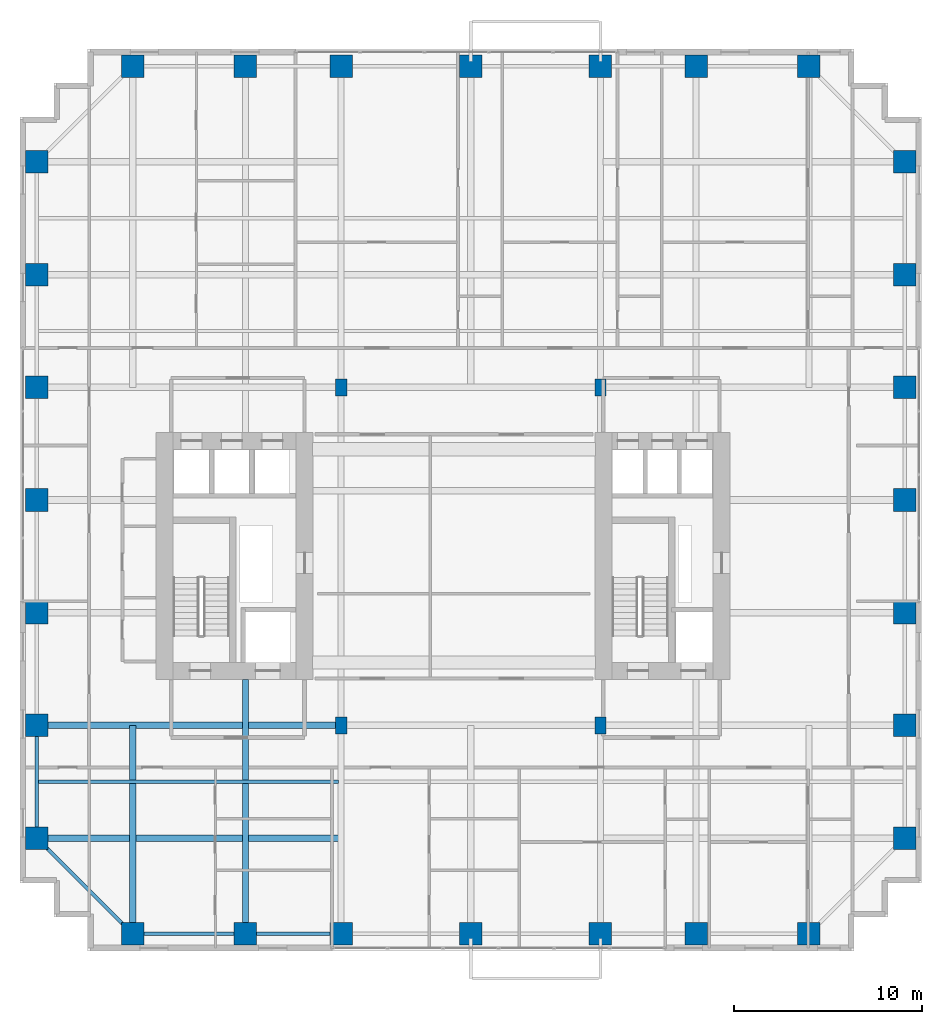
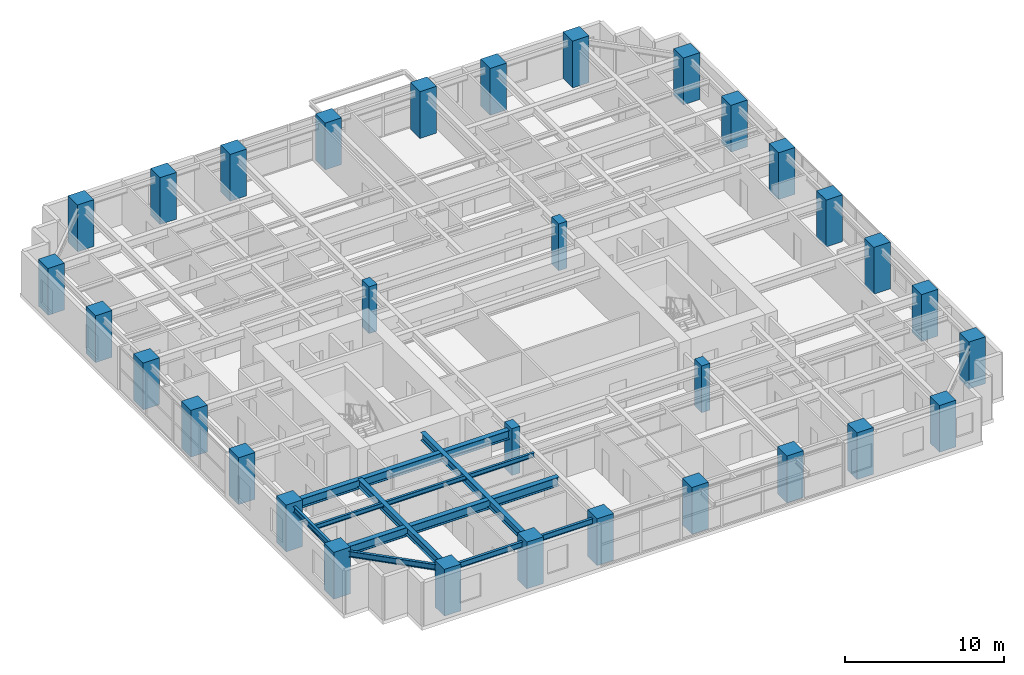
# One storey, part 1 of 24: 32 columns, 9 beams.
"""IFC4 building model written with IfcOpenShell, lengths in metres."""

from ifc_helpers import new_model, si_unit, direction, frame, origin, origin_2d, place, context, subcontext, project, spatial, rectangle, i_section, extrude, source, transform, mapped, material, material_profile, profile_set, type_object, element, save


model = new_model("IFC4")

# Units and contexts
model_context = context("Model", 3, precision=1e-05, world=origin(), true_north=direction((0.0, 1.0)))
body_context = subcontext(model_context, "Body", "Model", "MODEL_VIEW")
ifc_project = project(units=[si_unit("LENGTHUNIT", "METRE"), si_unit("AREAUNIT", "SQUARE_METRE"), si_unit("VOLUMEUNIT", "CUBIC_METRE"), si_unit("PLANEANGLEUNIT", "RADIAN"), si_unit("MASSUNIT", "GRAM", prefix="KILO")], contexts=[model_context])

# Site, building, storey
site_placement = place(None, origin())
site = spatial("IfcSite", under=ifc_project, at=site_placement, CompositionType="ELEMENT")
building_placement = place(site_placement, origin())
building = spatial("IfcBuilding", under=site, at=building_placement, Name="Khoralis Quay Care Tower", CompositionType="ELEMENT")
storey_placement = place(building_placement, frame((0.0, 0.0, 54.89990234375)))
storey = spatial("IfcBuildingStorey", under=building, at=storey_placement, Name="L14", CompositionType="ELEMENT", Elevation=54.89990234375)

# Columns
ifc_material_1 = material(Name="Concrete C80/95", Category="concrete")
ifc_material_profile_1 = material_profile(ifc_material_1, rectangle(XDim=1.199951171875, YDim=1.199951171875, at=origin_2d()), Name="Concrete C80/95")
ifc_profile_set_1 = profile_set([ifc_material_profile_1], Name="Concrete C80/95")
column_type_1 = type_object("IfcColumnType", Name="COL-C1200", PredefinedType="COLUMN", material=ifc_profile_set_1)
shared_shape_1 = source(origin(), body_context, "Body", "SweptSolid", [
    extrude(rectangle(XDim=1.199951171875, YDim=1.199951171875, at=origin_2d()), origin(), (0.0, 0.0, 1.0), 3.60009765625),
])
for number, where, z_axis, x_axis, name in (
    (1, (6.0, 0.89990234375, 0.0), (0.0, 0.0, 1.0), (1.0, 0.0, 0.0), "COL-TWR-L14-01"),
    (2, (6.0, 47.10009765625, 0.0), (0.0, 0.0, 1.0), (1.0, 0.0, 0.0), "COL-TWR-L14-02"),
    (3, (12.0, 0.89990234375, 0.0), (0.0, 0.0, 1.0), (1.0, 0.0, 0.0), "COL-TWR-L14-03"),
    (4, (12.0, 47.10009765625, 0.0), (0.0, 0.0, 1.0), (1.0, 0.0, 0.0), "COL-TWR-L14-04"),
    (5, (17.10009765625, 0.89990234375, 0.0), (0.0, 0.0, 1.0), (1.0, 0.0, 0.0), "COL-TWR-L14-05"),
    (6, (17.10009765625, 47.10009765625, 0.0), (0.0, 0.0, 1.0), (1.0, 0.0, 0.0), "COL-TWR-L14-06"),
    (7, (24.0, 0.89990234375, 0.0), (0.0, 0.0, 1.0), (1.0, 0.0, 0.0), "COL-TWR-L14-07"),
    (8, (24.0, 47.10009765625, 0.0), (0.0, 0.0, 1.0), (1.0, 0.0, 0.0), "COL-TWR-L14-08"),
    (9, (30.89990234375, 0.89990234375, 0.0), (0.0, 0.0, 1.0), (1.0, 0.0, 0.0), "COL-TWR-L14-09"),
    (10, (30.89990234375, 47.10009765625, 0.0), (0.0, 0.0, 1.0), (1.0, 0.0, 0.0), "COL-TWR-L14-10"),
    (11, (36.0, 0.89990234375, 0.0), (0.0, 0.0, 1.0), (1.0, 0.0, 0.0), "COL-TWR-L14-11"),
    (12, (36.0, 47.10009765625, 0.0), (0.0, 0.0, 1.0), (1.0, 0.0, 0.0), "COL-TWR-L14-12"),
    (13, (42.0, 0.89990234375, 0.0), (0.0, 0.0, 1.0), (1.0, 0.0, 0.0), "COL-TWR-L14-13"),
    (14, (42.0, 47.10009765625, 0.0), (0.0, 0.0, 1.0), (1.0, 0.0, 0.0), "COL-TWR-L14-14"),
    (15, (0.89990234375, 6.0, 0.0), (0.0, 0.0, 1.0), (1.0, 0.0, 0.0), "COL-TWR-L14-15"),
    (16, (47.10009765625, 6.0, 0.0), (0.0, 0.0, 1.0), (1.0, 0.0, 0.0), "COL-TWR-L14-16"),
    (17, (0.89990234375, 12.0, 0.0), (0.0, 0.0, 1.0), (1.0, 0.0, 0.0), "COL-TWR-L14-17"),
    (18, (47.10009765625, 12.0, 0.0), (0.0, 0.0, 1.0), (1.0, 0.0, 0.0), "COL-TWR-L14-18"),
    (19, (0.89990234375, 18.0, 0.0), (0.0, 0.0, 1.0), (1.0, 0.0, 0.0), "COL-TWR-L14-19"),
    (20, (47.10009765625, 18.0, 0.0), (0.0, 0.0, 1.0), (1.0, 0.0, 0.0), "COL-TWR-L14-20"),
    (21, (0.89990234375, 24.0, 0.0), (0.0, 0.0, 1.0), (1.0, 0.0, 0.0), "COL-TWR-L14-21"),
    (22, (47.10009765625, 24.0, 0.0), (0.0, 0.0, 1.0), (1.0, 0.0, 0.0), "COL-TWR-L14-22"),
    (23, (0.89990234375, 30.0, 0.0), (0.0, 0.0, 1.0), (1.0, 0.0, 0.0), "COL-TWR-L14-23"),
    (24, (47.10009765625, 30.0, 0.0), (0.0, 0.0, 1.0), (1.0, 0.0, 0.0), "COL-TWR-L14-24"),
    (25, (0.89990234375, 36.0, 0.0), (0.0, 0.0, 1.0), (1.0, 0.0, 0.0), "COL-TWR-L14-25"),
    (26, (47.10009765625, 36.0, 0.0), (0.0, 0.0, 1.0), (1.0, 0.0, 0.0), "COL-TWR-L14-26"),
    (27, (0.89990234375, 42.0, 0.0), (0.0, 0.0, 1.0), (1.0, 0.0, 0.0), "COL-TWR-L14-27"),
    (28, (47.10009765625, 42.0, 0.0), (0.0, 0.0, 1.0), (1.0, 0.0, 0.0), "COL-TWR-L14-28"),
):
    element("IfcColumn", number, at=place(storey_placement, frame(where, z_axis=z_axis, x_axis=x_axis)), inside=storey, type_object=column_type_1, Name=name, PredefinedType="COLUMN", context=body_context, shape_type="MappedRepresentation", body=[
        mapped(shared_shape_1, transform((0.0, 0.0, 0.0), scale=1.0)),
    ])
ifc_material_2 = material(Name="Concrete C65/80", Category="concrete")
ifc_material_profile_2 = material_profile(ifc_material_2, rectangle(XDim=0.60009765625, YDim=0.89990234375, at=origin_2d()), Name="Concrete C65/80")
ifc_profile_set_2 = profile_set([ifc_material_profile_2], Name="Concrete C65/80")
column_type_2 = type_object("IfcColumnType", Name="COL-C600X900", PredefinedType="COLUMN", material=ifc_profile_set_2)
shared_shape_2 = source(origin(), body_context, "Body", "SweptSolid", [
    extrude(rectangle(XDim=0.60009765625, YDim=0.89990234375, at=origin_2d()), origin(), (0.0, 0.0, 1.0), 3.60009765625),
])
for number, where, z_axis, x_axis, name in (
    (29, (17.10009765625, 12.0, 0.0), (0.0, 0.0, 1.0), (1.0, 0.0, 0.0), "COL-TWR-L14-29"),
    (30, (17.10009765625, 30.0, 0.0), (0.0, 0.0, 1.0), (1.0, 0.0, 0.0), "COL-TWR-L14-30"),
    (31, (30.89990234375, 12.0, 0.0), (0.0, 0.0, 1.0), (1.0, 0.0, 0.0), "COL-TWR-L14-31"),
    (32, (30.89990234375, 30.0, 0.0), (0.0, 0.0, 1.0), (1.0, 0.0, 0.0), "COL-TWR-L14-32"),
):
    element("IfcColumn", number, at=place(storey_placement, frame(where, z_axis=z_axis, x_axis=x_axis)), inside=storey, type_object=column_type_2, Name=name, PredefinedType="COLUMN", context=body_context, shape_type="MappedRepresentation", body=[
        mapped(shared_shape_2, transform((0.0, 0.0, 0.0), scale=1.0)),
    ])

# Beams
ifc_material_3 = material(Name="Steel S355", Category="steel")
ifc_material_profile_3 = material_profile(ifc_material_3, i_section(OverallWidth=0.18994140625, OverallDepth=0.449951171875, WebThickness=0.009521484375, FlangeThickness=0.0146484375, FilletRadius=0.02099609375, at=origin_2d()), Name="Steel S355")
ifc_profile_set_3 = profile_set([ifc_material_profile_3], Name="Steel S355")
beam_type_1 = type_object("IfcBeamType", Name="BM-IPE450", PredefinedType="SPANDREL", material=ifc_profile_set_3)
shared_shape_3 = source(origin(), body_context, "Body", "SweptSolid", [
    extrude(i_section(OverallWidth=0.18994140625, OverallDepth=0.449951171875, WebThickness=0.009521484375, FlangeThickness=0.0146484375, FilletRadius=0.02099609375, at=origin_2d()), origin(), (0.0, 0.0, 1.0), 6.0),
])
for number, where, z_axis, x_axis, name in (
    (33, (6.0, 0.89990234375, 3.09521484375), (1.0, 0.0, 0.0), (0.0, 1.0, 0.0), "BM-TSP-L14-01"),
    (34, (0.89990234375, 6.0, 3.09521484375), (0.0, 1.0, 0.0), (-1.0, 0.0, 0.0), "BM-TSP-L14-13"),
):
    element("IfcBeam", number, at=place(storey_placement, frame(where, z_axis=z_axis, x_axis=x_axis)), inside=storey, type_object=beam_type_1, Name=name, PredefinedType="SPANDREL", context=body_context, shape_type="MappedRepresentation", body=[
        mapped(shared_shape_3, transform((0.0, 0.0, 0.0), scale=1.0)),
    ])
shared_shape_4 = source(origin(), body_context, "Body", "SweptSolid", [
    extrude(i_section(OverallWidth=0.18994140625, OverallDepth=0.449951171875, WebThickness=0.009521484375, FlangeThickness=0.0146484375, FilletRadius=0.02099609375, at=origin_2d()), origin(), (0.0, 0.0, 1.0), 5.10009765625),
])
beam_1_placement = place(storey_placement, frame((12.0, 0.89990234375, 3.09521484375), z_axis=(1.0, 0.0, 0.0), x_axis=(0.0, 1.0, 0.0)))
element("IfcBeam", 35, at=beam_1_placement, inside=storey, type_object=beam_type_1, Name="BM-TSP-L14-02", PredefinedType="SPANDREL", context=body_context, shape_type="MappedRepresentation", body=[
    mapped(shared_shape_4, transform((0.0, 0.0, 0.0), scale=1.0)),
])
shared_shape_5 = source(origin(), body_context, "Body", "SweptSolid", [
    extrude(i_section(OverallWidth=0.18994140625, OverallDepth=0.449951171875, WebThickness=0.009521484375, FlangeThickness=0.0146484375, FilletRadius=0.02099609375, at=origin_2d()), origin(), (0.0, 0.0, 1.0), 7.212646484375),
])
beam_2_placement = place(storey_placement, frame((6.0, 0.89990234375, 3.09521484375), z_axis=(-0.707106781187, 0.707106781187, 0.0), x_axis=(-0.707106781187, -0.707106781187, 0.0)))
element("IfcBeam", 36, at=beam_2_placement, inside=storey, type_object=beam_type_1, Name="BM-TCR-L14-25", PredefinedType="SPANDREL", context=body_context, shape_type="MappedRepresentation", body=[
    mapped(shared_shape_5, transform((0.0, 0.0, 0.0), scale=1.0)),
])
ifc_material_profile_4 = material_profile(ifc_material_3, i_section(OverallWidth=0.35498046875, OverallDepth=0.695068359375, WebThickness=0.015380859375, FlangeThickness=0.02490234375, FilletRadius=0.02001953125, at=origin_2d()), Name="Steel S355")
ifc_profile_set_4 = profile_set([ifc_material_profile_4], Name="Steel S355")
beam_type_2 = type_object("IfcBeamType", Name="BM-W690X217", PredefinedType="BEAM", material=ifc_profile_set_4)
shared_shape_6 = source(origin(), body_context, "Body", "SweptSolid", [
    extrude(i_section(OverallWidth=0.35498046875, OverallDepth=0.695068359375, WebThickness=0.015380859375, FlangeThickness=0.02490234375, FilletRadius=0.02001953125, at=origin_2d()), origin(), (0.0, 0.0, 1.0), 16.049560546875),
])
beam_3_placement = place(storey_placement, frame((0.89990234375, 6.0, 2.97265625), z_axis=(1.0, 0.0, 0.0), x_axis=(0.0, 1.0, 0.0)))
element("IfcBeam", 37, at=beam_3_placement, inside=storey, type_object=beam_type_2, Name="BM-TGXW-L14-60", PredefinedType="BEAM", context=body_context, shape_type="MappedRepresentation", body=[
    mapped(shared_shape_6, transform((0.0, 0.0, 0.0), scale=1.0)),
])
shared_shape_7 = source(origin(), body_context, "Body", "SweptSolid", [
    extrude(i_section(OverallWidth=0.35498046875, OverallDepth=0.695068359375, WebThickness=0.015380859375, FlangeThickness=0.02490234375, FilletRadius=0.02001953125, at=origin_2d()), origin(), (0.0, 0.0, 1.0), 16.2001953125),
])
beam_4_placement = place(storey_placement, frame((0.89990234375, 12.0, 2.97265625), z_axis=(1.0, 0.0, 0.0), x_axis=(0.0, 1.0, 0.0)))
element("IfcBeam", 38, at=beam_4_placement, inside=storey, type_object=beam_type_2, Name="BM-TGXW-L14-120", PredefinedType="BEAM", context=body_context, shape_type="MappedRepresentation", body=[
    mapped(shared_shape_7, transform((0.0, 0.0, 0.0), scale=1.0)),
])
ifc_material_profile_5 = material_profile(ifc_material_3, i_section(OverallWidth=0.324951171875, OverallDepth=0.615966796875, WebThickness=0.013916015625, FlangeThickness=0.021484375, FilletRadius=0.01806640625, at=origin_2d()), Name="Steel S355")
ifc_profile_set_5 = profile_set([ifc_material_profile_5], Name="Steel S355")
beam_type_3 = type_object("IfcBeamType", Name="BM-W610X174", PredefinedType="BEAM", material=ifc_profile_set_5)
shared_shape_8 = source(origin(), body_context, "Body", "SweptSolid", [
    extrude(i_section(OverallWidth=0.324951171875, OverallDepth=0.615966796875, WebThickness=0.013916015625, FlangeThickness=0.021484375, FilletRadius=0.01806640625, at=origin_2d()), origin(), (0.0, 0.0, 1.0), 11.10009765625),
])
beam_5_placement = place(storey_placement, frame((6.0, 0.89990234375, 3.01220703125), z_axis=(0.0, 1.0, 0.0), x_axis=(-1.0, 0.0, 0.0)))
element("IfcBeam", 39, at=beam_5_placement, inside=storey, type_object=beam_type_3, Name="BM-TGYS-L14-60", PredefinedType="BEAM", context=body_context, shape_type="MappedRepresentation", body=[
    mapped(shared_shape_8, transform((0.0, 0.0, 0.0), scale=1.0)),
])
shared_shape_9 = source(origin(), body_context, "Body", "SweptSolid", [
    extrude(i_section(OverallWidth=0.324951171875, OverallDepth=0.615966796875, WebThickness=0.013916015625, FlangeThickness=0.021484375, FilletRadius=0.01806640625, at=origin_2d()), origin(), (0.0, 0.0, 1.0), 13.552001953125),
])
beam_6_placement = place(storey_placement, frame((12.0, 0.89990234375, 3.01220703125), z_axis=(0.0, 1.0, 0.0), x_axis=(-1.0, 0.0, 0.0)))
element("IfcBeam", 40, at=beam_6_placement, inside=storey, type_object=beam_type_3, Name="BM-TGYS-L14-120", PredefinedType="BEAM", context=body_context, shape_type="MappedRepresentation", body=[
    mapped(shared_shape_9, transform((0.0, 0.0, 0.0), scale=1.0)),
])
ifc_material_profile_6 = material_profile(ifc_material_3, i_section(OverallWidth=0.1708984375, OverallDepth=0.35498046875, WebThickness=0.007080078125, FlangeThickness=0.01171875, FilletRadius=0.012939453125, at=origin_2d()), Name="Steel S355")
ifc_profile_set_6 = profile_set([ifc_material_profile_6], Name="Steel S355")
beam_type_4 = type_object("IfcBeamType", Name="BM-W360X51", PredefinedType="JOIST", material=ifc_profile_set_6)
shared_shape_10 = source(origin(), body_context, "Body", "SweptSolid", [
    extrude(i_section(OverallWidth=0.1708984375, OverallDepth=0.35498046875, WebThickness=0.007080078125, FlangeThickness=0.01171875, FilletRadius=0.012939453125, at=origin_2d()), origin(), (0.0, 0.0, 1.0), 15.968505859375),
])
beam_7_placement = place(storey_placement, frame((0.98095703125, 9.0, 3.142578125), z_axis=(1.0, 0.0, 0.0), x_axis=(0.0, 1.0, 0.0)))
element("IfcBeam", 41, at=beam_7_placement, inside=storey, type_object=beam_type_4, Name="BM-TJS-L14-29", PredefinedType="JOIST", context=body_context, shape_type="MappedRepresentation", body=[
    mapped(shared_shape_10, transform((0.0, 0.0, 0.0), scale=1.0)),
])

save(model, "model.ifc")
